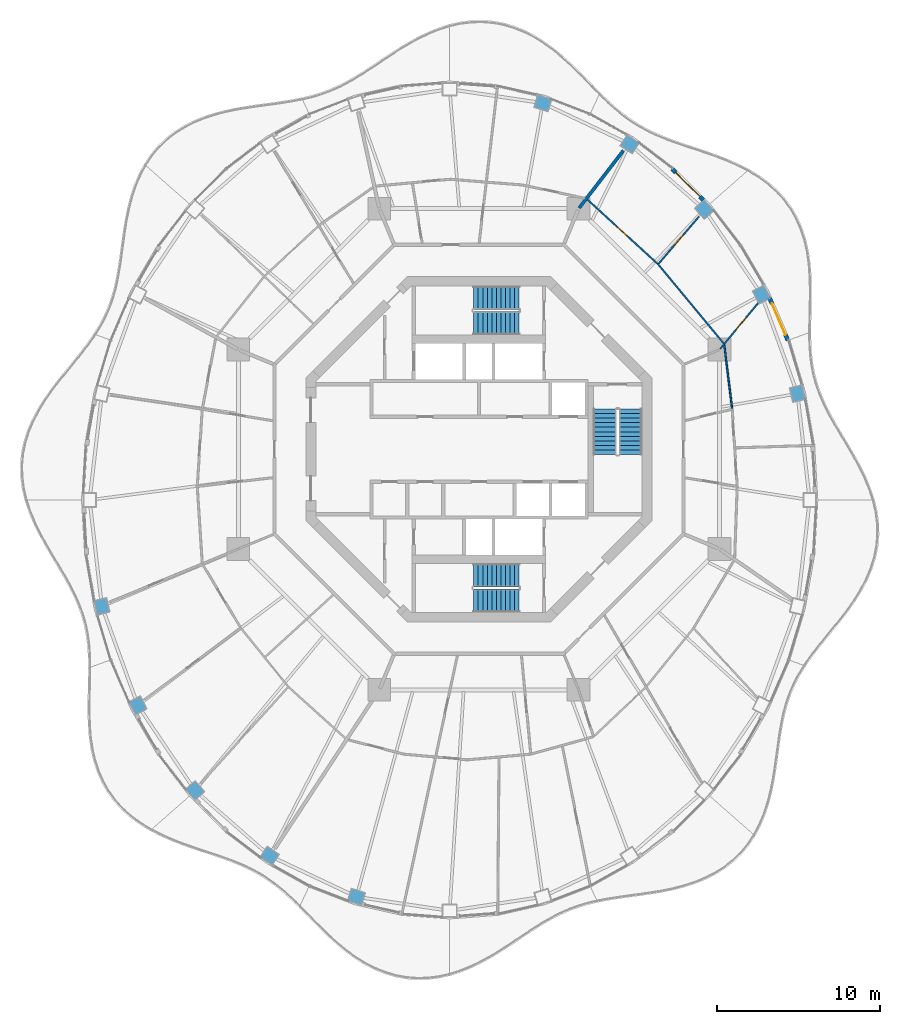
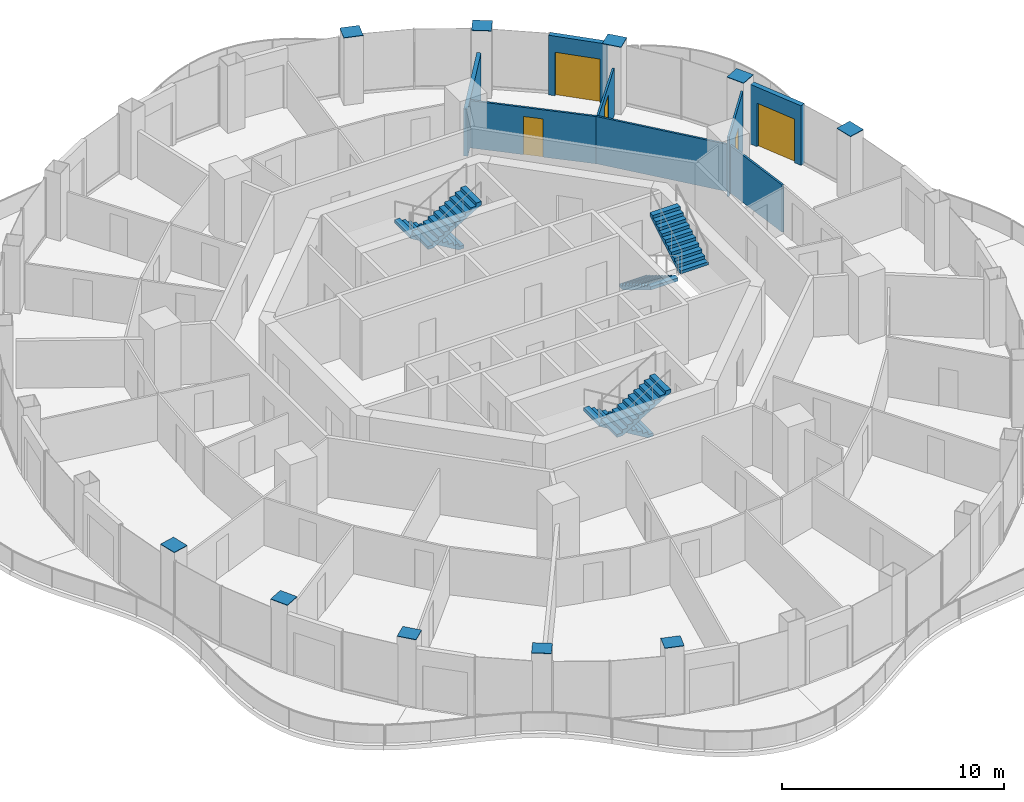
# One storey, part 14 of 17: 10 discrete accessories, 8 walls, 6 stair flights, 5 doors, 5 openings, 3 elements without a shape of their own.
"""IFC4 building model written with IfcOpenShell, lengths in metres."""

from ifc_helpers import new_model, si_unit, direction, frame, frame_2d, origin, origin_2d, place, context, subcontext, project, spatial, polyline, rectangle, outline, extrude, material, layer, layer_set, type_object, element, fill, aggregate, save


model = new_model("IFC4")

# Units and contexts
model_context = context("Model", 3, precision=1e-05, world=origin(), true_north=direction((0.0, 1.0)))
body_context = subcontext(model_context, "Body", "Model", "MODEL_VIEW")
ifc_project = project(units=[si_unit("LENGTHUNIT", "METRE"), si_unit("AREAUNIT", "SQUARE_METRE"), si_unit("VOLUMEUNIT", "CUBIC_METRE"), si_unit("PLANEANGLEUNIT", "RADIAN"), si_unit("MASSUNIT", "GRAM", prefix="KILO")], contexts=[model_context])

# Site, building, storey
site_placement = place(None, origin())
site = spatial("IfcSite", under=ifc_project, at=site_placement, CompositionType="ELEMENT")
building_placement = place(site_placement, origin())
building = spatial("IfcBuilding", under=site, at=building_placement, Name="Nagisa Residences", CompositionType="ELEMENT")
storey_placement = place(building_placement, frame((0.0, 0.0, 295.5)))
storey = spatial("IfcBuildingStorey", under=building, at=storey_placement, Name="L75", CompositionType="ELEMENT", Elevation=295.5)

# Walls
ifc_material_1 = material(Name="Gypsum board on steel studs", Category="steel")
ifc_layer_1 = layer(ifc_material_1, 0.199951171875)
ifc_layer_set_1 = layer_set([ifc_layer_1], Name="Apartment compartment wall EI60 200")
wall_type_1 = type_object("IfcWallType", Name="Apartment compartment wall EI60 200", PredefinedType="PARTITIONING", material=ifc_layer_set_1)
wall_1_placement = place(storey_placement, frame((6.153564453125, 14.821533203125, 0.0), z_axis=(0.0, 0.0, 1.0), x_axis=(0.610687612043, 0.791871606068, 0.0)))
element("IfcWall", 1, at=wall_1_placement, inside=storey, type_object=wall_type_1, Name="wall:L75:u01", PredefinedType="PARTITIONING", context=body_context, shape_type="SweptSolid", body=[
    extrude(rectangle(XDim=4.454833984375, YDim=0.199951171875, at=frame_2d((2.2275390625, 0.0))), origin(), (0.0, 0.0, 1.0), 2.60205078125),
])
ifc_material_2 = material(Name="Gypsum board on steel studs", Category="steel")
ifc_layer_2 = layer(ifc_material_2, 0.10009765625)
ifc_layer_set_2 = layer_set([ifc_layer_2], Name="Apartment partition 100")
wall_type_2 = type_object("IfcWallType", Name="Apartment partition 100", PredefinedType="PARTITIONING", material=ifc_layer_set_2)
wall_2_placement = place(storey_placement, frame((15.552490234375, 2.50830078125, 0.0), z_axis=(0.0, 0.0, 1.0), x_axis=(-0.12196631785, 0.992534239868, 0.0)))
element("IfcWall", 2, at=wall_2_placement, inside=storey, type_object=wall_type_2, Name="wall:L75:u23", PredefinedType="PARTITIONING", context=body_context, shape_type="SweptSolid", body=[
    extrude(rectangle(XDim=3.937255859375, YDim=0.10009765625, at=frame_2d((1.96875, 0.0))), origin(), (0.0, 0.0, 1.0), 2.60205078125),
])

# Wall, opening, door
wall_3_placement = place(storey_placement, frame((14.81396484375, 6.161376953125, 0.0), z_axis=(0.0, 0.0, 1.0), x_axis=(0.638050520313, 0.769994502272, 0.0)))
wall_3 = element("IfcWall", 3, at=wall_3_placement, inside=storey, type_object=wall_type_2, Name="wall:L75:u25", PredefinedType="PARTITIONING", context=body_context, shape_type="SweptSolid", body=[
    extrude(rectangle(XDim=3.6728515625, YDim=0.10009765625, at=frame_2d((1.83642578125, 0.0))), origin(), (0.0, 0.0, 1.0), 3.280029296875),
])
opening_1_placement = place(wall_3_placement, frame((1.584228515625, 0.0, 0.0)))
opening_1 = element("IfcOpeningElement", 4, at=opening_1_placement, cuts=wall_3, Name="Opening L75-U17", PredefinedType="OPENING", context=body_context, shape_type="SweptSolid", body=[
    extrude(rectangle(XDim=0.89990234375, YDim=2.10009765625, at=frame_2d((0.449951171875, 1.050048828125))), frame((0.0, 0.06005859375, 0.0), z_axis=(0.0, -1.0, 0.0), x_axis=(1.0, 0.0, 0.0)), (0.0, 0.0, 1.0), 0.1201171875),
])
ifc_material_3 = material(Name="Timber door set", Category="wood")
door_type_1 = type_object("IfcDoorType", Name="Apartment door 900x2100", OperationType="NOTDEFINED", PredefinedType="DOOR", material=ifc_material_3)
door_1_placement = place(opening_1_placement, origin())
door_1 = element("IfcDoor", 5, at=door_1_placement, inside=storey, type_object=door_type_1, Name="Door to study, Apartment 75B", OperationType="SINGLE_SWING_LEFT", OverallHeight=2.10009765625, OverallWidth=0.89990234375, PredefinedType="DOOR", context=body_context, shape_type="SweptSolid", body=[
    extrude(rectangle(XDim=0.89990234375, YDim=2.10009765625, at=frame_2d((0.449951171875, 1.050048828125))), frame((0.0, 0.02490234375, 0.0), z_axis=(0.0, -1.0, 0.0), x_axis=(1.0, 0.0, 0.0)), (0.0, 0.0, 1.0), 0.050048828125),
])
fill(opening_1, door_1)

# Wall
wall_4_placement = place(storey_placement, frame((15.034423828125, 6.50439453125, 0.0), z_axis=(0.0, 0.0, 1.0), x_axis=(-0.637935278767, 0.770089981823, 0.0)))
element("IfcWall", 6, at=wall_4_placement, inside=storey, type_object=wall_type_2, Name="wall:L75:u26", PredefinedType="PARTITIONING", context=body_context, shape_type="SweptSolid", body=[
    extrude(rectangle(XDim=6.360595703125, YDim=0.10009765625, at=frame_2d((3.18017578125, 0.0))), origin(), (0.0, 0.0, 1.0), 2.60205078125),
])

# Wall, opening, door
wall_5_placement = place(storey_placement, frame((11.041259765625, 11.402099609375, 0.0), z_axis=(0.0, 0.0, 1.0), x_axis=(0.650558544325, 0.759456108282, 0.0)))
wall_5 = element("IfcWall", 7, at=wall_5_placement, inside=storey, type_object=wall_type_2, Name="wall:L75:u27", PredefinedType="PARTITIONING", context=body_context, shape_type="SweptSolid", body=[
    extrude(rectangle(XDim=3.800048828125, YDim=0.10009765625, at=frame_2d((1.89990234375, 0.0))), origin(), (0.0, 0.0, 1.0), 2.60205078125),
])
opening_2_placement = place(wall_5_placement, frame((1.4501953125, 0.0, 0.0)))
opening_2 = element("IfcOpeningElement", 8, at=opening_2_placement, cuts=wall_5, Name="Opening L75-U18", PredefinedType="OPENING", context=body_context, shape_type="SweptSolid", body=[
    extrude(rectangle(XDim=0.89990234375, YDim=2.10009765625, at=frame_2d((0.449951171875, 1.050048828125))), frame((0.0, 0.06005859375, 0.0), z_axis=(0.0, -1.0, 0.0), x_axis=(1.0, 0.0, 0.0)), (0.0, 0.0, 1.0), 0.1201171875),
])
door_2_placement = place(opening_2_placement, origin())
door_2 = element("IfcDoor", 9, at=door_2_placement, inside=storey, type_object=door_type_1, Name="Door to kitchen, Apartment 75B", OperationType="SINGLE_SWING_RIGHT", OverallHeight=2.10009765625, OverallWidth=0.89990234375, PredefinedType="DOOR", context=body_context, shape_type="SweptSolid", body=[
    extrude(rectangle(XDim=0.89990234375, YDim=2.10009765625, at=frame_2d((0.449951171875, 1.050048828125))), frame((0.0, 0.02490234375, 0.0), z_axis=(0.0, -1.0, 0.0), x_axis=(1.0, 0.0, 0.0)), (0.0, 0.0, 1.0), 0.050048828125),
])
fill(opening_2, door_2)

wall_6_placement = place(storey_placement, frame((10.9716796875, 11.397705078125, 0.0), z_axis=(0.0, 0.0, 1.0), x_axis=(-0.737830272434, 0.674986288069, 0.0)))
wall_6 = element("IfcWall", 10, at=wall_6_placement, inside=storey, type_object=wall_type_2, Name="wall:L75:u28", PredefinedType="PARTITIONING", context=body_context, shape_type="SweptSolid", body=[
    extrude(rectangle(XDim=5.827392578125, YDim=0.10009765625, at=frame_2d((2.91357421875, 0.0))), origin(), (0.0, 0.0, 1.0), 2.60205078125),
])
opening_3_placement = place(wall_6_placement, frame((2.463623046875, 0.0, 0.0)))
opening_3 = element("IfcOpeningElement", 11, at=opening_3_placement, cuts=wall_6, Name="Opening L75-U19", PredefinedType="OPENING", context=body_context, shape_type="SweptSolid", body=[
    extrude(rectangle(XDim=0.89990234375, YDim=2.10009765625, at=frame_2d((0.449951171875, 1.050048828125))), frame((0.0, 0.06005859375, 0.0), z_axis=(0.0, -1.0, 0.0), x_axis=(1.0, 0.0, 0.0)), (0.0, 0.0, 1.0), 0.1201171875),
])
door_3_placement = place(opening_3_placement, origin())
door_3 = element("IfcDoor", 12, at=door_3_placement, inside=storey, type_object=door_type_1, Name="Door to store, Apartment 75B", OperationType="SINGLE_SWING_LEFT", OverallHeight=2.10009765625, OverallWidth=0.89990234375, PredefinedType="DOOR", context=body_context, shape_type="SweptSolid", body=[
    extrude(rectangle(XDim=0.89990234375, YDim=2.10009765625, at=frame_2d((0.449951171875, 1.050048828125))), frame((0.0, 0.02490234375, 0.0), z_axis=(0.0, -1.0, 0.0), x_axis=(1.0, 0.0, 0.0)), (0.0, 0.0, 1.0), 0.050048828125),
])
fill(opening_3, door_3)

ifc_material_4 = material(Name="Precast concrete C40/50", Category="concrete")
ifc_layer_3 = layer(ifc_material_4, 0.25)
ifc_layer_set_3 = layer_set([ifc_layer_3], Name="BALCONY DOOR WALL 250")
wall_type_3 = type_object("IfcWallType", Name="BALCONY DOOR WALL 250", PredefinedType="SOLIDWALL", material=ifc_layer_set_3)
wall_7_placement = place(storey_placement, frame((17.853759765625, 9.289794921875, 0.0), z_axis=(0.0, 0.0, 1.0), x_axis=(0.397597791596, -0.9175598052, 0.0)))
wall_7 = element("IfcWall", 13, at=wall_7_placement, inside=storey, type_object=wall_type_3, Name="wall:L75:bay03", PredefinedType="SOLIDWALL", context=body_context, shape_type="SweptSolid", body=[
    extrude(rectangle(XDim=2.841064453125, YDim=0.25, at=frame_2d((1.42041015625, 0.0))), origin(), (0.0, 0.0, 1.0), 3.280029296875),
])
opening_4_placement = place(wall_7_placement, frame((0.37060546875, 0.0, 0.0)))
opening_4 = element("IfcOpeningElement", 14, at=opening_4_placement, cuts=wall_7, Name="Opening BD-L75-02", PredefinedType="OPENING", context=body_context, shape_type="SweptSolid", body=[
    extrude(rectangle(XDim=2.10009765625, YDim=2.39990234375, at=frame_2d((1.050048828125, 1.199951171875))), frame((0.0, 0.135009765625, 0.0), z_axis=(0.0, -1.0, 0.0), x_axis=(1.0, 0.0, 0.0)), (0.0, 0.0, 1.0), 0.27001953125),
])
ifc_material_5 = material(Name="Aluminium and clear glass", Category="aluminium")
door_type_2 = type_object("IfcDoorType", Name="BALCONY SLIDING DOOR 2100x2400", OperationType="SLIDING_TO_LEFT", PredefinedType="DOOR", material=ifc_material_5)
door_4_placement = place(opening_4_placement, origin())
door_4 = element("IfcDoor", 15, at=door_4_placement, inside=storey, type_object=door_type_2, Name="door:L75:bay03", OperationType="SLIDING_TO_LEFT", OverallHeight=2.39990234375, OverallWidth=2.10009765625, PredefinedType="DOOR", context=body_context, shape_type="SweptSolid", body=[
    extrude(rectangle(XDim=2.10009765625, YDim=2.39990234375, at=frame_2d((1.050048828125, 1.199951171875))), frame((0.0, 0.02490234375, 0.0), z_axis=(0.0, -1.0, 0.0), x_axis=(1.0, 0.0, 0.0)), (0.0, 0.0, 1.0), 0.050048828125),
])
fill(opening_4, door_4)

wall_8_placement = place(storey_placement, frame((11.8818359375, 17.21484375, 0.0), z_axis=(0.0, 0.0, 1.0), x_axis=(0.707831739508, -0.706381078841, 0.0)))
wall_8 = element("IfcWall", 16, at=wall_8_placement, inside=storey, type_object=wall_type_3, Name="wall:L75:bay06", PredefinedType="SOLIDWALL", context=body_context, shape_type="SweptSolid", body=[
    extrude(rectangle(XDim=2.692626953125, YDim=0.25, at=frame_2d((1.34619140625, 0.0))), origin(), (0.0, 0.0, 1.0), 3.280029296875),
])
opening_5_placement = place(wall_8_placement, frame((0.29638671875, 0.0, 0.0)))
opening_5 = element("IfcOpeningElement", 17, at=opening_5_placement, cuts=wall_8, Name="Opening BD-L75-03", PredefinedType="OPENING", context=body_context, shape_type="SweptSolid", body=[
    extrude(rectangle(XDim=2.10009765625, YDim=2.39990234375, at=frame_2d((1.050048828125, 1.199951171875))), frame((0.0, 0.135009765625, 0.0), z_axis=(0.0, -1.0, 0.0), x_axis=(1.0, 0.0, 0.0)), (0.0, 0.0, 1.0), 0.27001953125),
])
door_5_placement = place(opening_5_placement, origin())
door_5 = element("IfcDoor", 18, at=door_5_placement, inside=storey, type_object=door_type_2, Name="door:L75:bay06", OperationType="SLIDING_TO_LEFT", OverallHeight=2.39990234375, OverallWidth=2.10009765625, PredefinedType="DOOR", context=body_context, shape_type="SweptSolid", body=[
    extrude(rectangle(XDim=2.10009765625, YDim=2.39990234375, at=frame_2d((1.050048828125, 1.199951171875))), frame((0.0, 0.02490234375, 0.0), z_axis=(0.0, -1.0, 0.0), x_axis=(1.0, 0.0, 0.0)), (0.0, 0.0, 1.0), 0.050048828125),
])
fill(opening_5, door_5)

# Stair, stair flights
ifc_material_6 = material(Name="Concrete C60", Category="concrete")
stair_type = type_object("IfcStairType", Name="Exit stair", PredefinedType="HALF_TURN_STAIR", material=ifc_material_6)
stair_1_placement = place(storey_placement, origin())
stair_1 = element("IfcStair", 19, at=stair_1_placement, inside=storey, type_object=stair_type, Name="L75 Exit stair E", PredefinedType="HALF_TURN_STAIR")
ifc_material_7 = material(Name="Concrete C60", Category="concrete")
stair_flight_type = type_object("IfcStairFlightType", Name="Exit stair flight", PredefinedType="STRAIGHT", material=ifc_material_7)
stair_flight_1_placement = place(storey_placement, frame((7.737060546875, 2.47509765625, 0.0), z_axis=(0.0, 0.0, 1.0), x_axis=(0.0, -1.0, 0.0)))
stair_flight_1 = element("IfcStairFlight", 20, at=stair_flight_1_placement, type_object=stair_flight_type, Name="ST-E flight 1", NumberOfRisers=11, NumberOfTreads=10, PredefinedType="STRAIGHT", RiserHeight=0.168181818, TreadLength=0.28, context=body_context, shape_type="SweptSolid", body=[
    extrude(outline(polyline([(0.0, 0.0), (0.0, 0.168212890625), (0.280029296875, 0.168212890625), (0.280029296875, 0.33642578125), (0.56005859375, 0.33642578125), (0.56005859375, 0.504638671875), (0.840087890625, 0.504638671875), (0.840087890625, 0.672607421875), (1.1201171875, 0.672607421875), (1.1201171875, 0.8408203125), (1.39990234375, 0.8408203125), (1.39990234375, 1.009033203125), (1.679931640625, 1.009033203125), (1.679931640625, 1.17724609375), (1.9599609375, 1.17724609375), (1.9599609375, 1.345458984375), (2.239990234375, 1.345458984375), (2.239990234375, 1.513671875), (2.52001953125, 1.513671875), (2.52001953125, 1.681884765625), (2.800048828125, 1.681884765625), (2.800048828125, 1.85009765625), (2.800048828125, 1.5068359375), (0.291015625, 0.0), (0.0, 0.0)])), frame((0.0, 0.71240234375, 0.0), z_axis=(0.0, -1.0, 0.0), x_axis=(1.0, 0.0, 0.0)), (0.0, 0.0, 1.0), 1.425048828125),
])
stair_flight_2_placement = place(storey_placement, frame((9.31201171875, -0.324951171875, 1.85009765625), z_axis=(0.0, 0.0, 1.0), x_axis=(0.0, 1.0, 0.0)))
stair_flight_2 = element("IfcStairFlight", 21, at=stair_flight_2_placement, type_object=stair_flight_type, Name="ST-E flight 2", NumberOfRisers=11, NumberOfTreads=10, PredefinedType="STRAIGHT", RiserHeight=0.168181818, TreadLength=0.28, context=body_context, shape_type="SweptSolid", body=[
    extrude(outline(polyline([(0.0, 0.0), (0.0, 0.168212890625), (0.280029296875, 0.168212890625), (0.280029296875, 0.33642578125), (0.56005859375, 0.33642578125), (0.56005859375, 0.504638671875), (0.840087890625, 0.504638671875), (0.840087890625, 0.672607421875), (1.1201171875, 0.672607421875), (1.1201171875, 0.8408203125), (1.39990234375, 0.8408203125), (1.39990234375, 1.009033203125), (1.679931640625, 1.009033203125), (1.679931640625, 1.17724609375), (1.9599609375, 1.17724609375), (1.9599609375, 1.345458984375), (2.239990234375, 1.345458984375), (2.239990234375, 1.513671875), (2.52001953125, 1.513671875), (2.52001953125, 1.681884765625), (2.800048828125, 1.681884765625), (2.800048828125, 1.85009765625), (2.800048828125, 1.5068359375), (0.291015625, 0.0), (0.0, 0.0)])), frame((0.0, 0.71240234375, 0.0), z_axis=(0.0, -1.0, 0.0), x_axis=(1.0, 0.0, 0.0)), (0.0, 0.0, 1.0), 1.425048828125),
])
aggregate(stair_1, [stair_flight_1, stair_flight_2])

stair_2_placement = place(storey_placement, origin())
stair_2 = element("IfcStair", 22, at=stair_2_placement, inside=storey, type_object=stair_type, Name="L75 Exit stair N", PredefinedType="HALF_TURN_STAIR")
stair_flight_3_placement = place(storey_placement, frame((2.47509765625, 9.31201171875, 0.0), z_axis=(0.0, 0.0, 1.0), x_axis=(-1.0, 0.0, 0.0)))
stair_flight_3 = element("IfcStairFlight", 23, at=stair_flight_3_placement, type_object=stair_flight_type, Name="ST-N flight 1", NumberOfRisers=11, NumberOfTreads=10, PredefinedType="STRAIGHT", RiserHeight=0.168181818, TreadLength=0.28, context=body_context, shape_type="SweptSolid", body=[
    extrude(outline(polyline([(0.0, 0.0), (0.0, 0.168212890625), (0.280029296875, 0.168212890625), (0.280029296875, 0.33642578125), (0.56005859375, 0.33642578125), (0.56005859375, 0.504638671875), (0.840087890625, 0.504638671875), (0.840087890625, 0.672607421875), (1.1201171875, 0.672607421875), (1.1201171875, 0.8408203125), (1.39990234375, 0.8408203125), (1.39990234375, 1.009033203125), (1.679931640625, 1.009033203125), (1.679931640625, 1.17724609375), (1.9599609375, 1.17724609375), (1.9599609375, 1.345458984375), (2.239990234375, 1.345458984375), (2.239990234375, 1.513671875), (2.52001953125, 1.513671875), (2.52001953125, 1.681884765625), (2.800048828125, 1.681884765625), (2.800048828125, 1.85009765625), (2.800048828125, 1.5068359375), (0.291015625, 0.0), (0.0, 0.0)])), frame((0.0, 0.71240234375, 0.0), z_axis=(0.0, -1.0, 0.0), x_axis=(1.0, 0.0, 0.0)), (0.0, 0.0, 1.0), 1.425048828125),
])
stair_flight_4_placement = place(storey_placement, frame((-0.324951171875, 7.737060546875, 1.85009765625), z_axis=(0.0, 0.0, 1.0), x_axis=(1.0, 0.0, 0.0)))
stair_flight_4 = element("IfcStairFlight", 24, at=stair_flight_4_placement, type_object=stair_flight_type, Name="ST-N flight 2", NumberOfRisers=11, NumberOfTreads=10, PredefinedType="STRAIGHT", RiserHeight=0.168181818, TreadLength=0.28, context=body_context, shape_type="SweptSolid", body=[
    extrude(outline(polyline([(0.0, 0.0), (0.0, 0.168212890625), (0.280029296875, 0.168212890625), (0.280029296875, 0.33642578125), (0.56005859375, 0.33642578125), (0.56005859375, 0.504638671875), (0.840087890625, 0.504638671875), (0.840087890625, 0.672607421875), (1.1201171875, 0.672607421875), (1.1201171875, 0.8408203125), (1.39990234375, 0.8408203125), (1.39990234375, 1.009033203125), (1.679931640625, 1.009033203125), (1.679931640625, 1.17724609375), (1.9599609375, 1.17724609375), (1.9599609375, 1.345458984375), (2.239990234375, 1.345458984375), (2.239990234375, 1.513671875), (2.52001953125, 1.513671875), (2.52001953125, 1.681884765625), (2.800048828125, 1.681884765625), (2.800048828125, 1.85009765625), (2.800048828125, 1.5068359375), (0.291015625, 0.0), (0.0, 0.0)])), frame((0.0, 0.71240234375, 0.0), z_axis=(0.0, -1.0, 0.0), x_axis=(1.0, 0.0, 0.0)), (0.0, 0.0, 1.0), 1.425048828125),
])
aggregate(stair_2, [stair_flight_3, stair_flight_4])

stair_3_placement = place(storey_placement, origin())
stair_3 = element("IfcStair", 25, at=stair_3_placement, inside=storey, type_object=stair_type, Name="L75 Exit stair S", PredefinedType="HALF_TURN_STAIR")
stair_flight_5_placement = place(storey_placement, frame((2.47509765625, -7.737060546875, 0.0), z_axis=(0.0, 0.0, 1.0), x_axis=(-1.0, 0.0, 0.0)))
stair_flight_5 = element("IfcStairFlight", 26, at=stair_flight_5_placement, type_object=stair_flight_type, Name="ST-S flight 1", NumberOfRisers=11, NumberOfTreads=10, PredefinedType="STRAIGHT", RiserHeight=0.168181818, TreadLength=0.28, context=body_context, shape_type="SweptSolid", body=[
    extrude(outline(polyline([(0.0, 0.0), (0.0, 0.168212890625), (0.280029296875, 0.168212890625), (0.280029296875, 0.33642578125), (0.56005859375, 0.33642578125), (0.56005859375, 0.504638671875), (0.840087890625, 0.504638671875), (0.840087890625, 0.672607421875), (1.1201171875, 0.672607421875), (1.1201171875, 0.8408203125), (1.39990234375, 0.8408203125), (1.39990234375, 1.009033203125), (1.679931640625, 1.009033203125), (1.679931640625, 1.17724609375), (1.9599609375, 1.17724609375), (1.9599609375, 1.345458984375), (2.239990234375, 1.345458984375), (2.239990234375, 1.513671875), (2.52001953125, 1.513671875), (2.52001953125, 1.681884765625), (2.800048828125, 1.681884765625), (2.800048828125, 1.85009765625), (2.800048828125, 1.5068359375), (0.291015625, 0.0), (0.0, 0.0)])), frame((0.0, 0.71240234375, 0.0), z_axis=(0.0, -1.0, 0.0), x_axis=(1.0, 0.0, 0.0)), (0.0, 0.0, 1.0), 1.425048828125),
])
stair_flight_6_placement = place(storey_placement, frame((-0.324951171875, -9.31201171875, 1.85009765625), z_axis=(0.0, 0.0, 1.0), x_axis=(1.0, 0.0, 0.0)))
stair_flight_6 = element("IfcStairFlight", 27, at=stair_flight_6_placement, type_object=stair_flight_type, Name="ST-S flight 2", NumberOfRisers=11, NumberOfTreads=10, PredefinedType="STRAIGHT", RiserHeight=0.168181818, TreadLength=0.28, context=body_context, shape_type="SweptSolid", body=[
    extrude(outline(polyline([(0.0, 0.0), (0.0, 0.168212890625), (0.280029296875, 0.168212890625), (0.280029296875, 0.33642578125), (0.56005859375, 0.33642578125), (0.56005859375, 0.504638671875), (0.840087890625, 0.504638671875), (0.840087890625, 0.672607421875), (1.1201171875, 0.672607421875), (1.1201171875, 0.8408203125), (1.39990234375, 0.8408203125), (1.39990234375, 1.009033203125), (1.679931640625, 1.009033203125), (1.679931640625, 1.17724609375), (1.9599609375, 1.17724609375), (1.9599609375, 1.345458984375), (2.239990234375, 1.345458984375), (2.239990234375, 1.513671875), (2.52001953125, 1.513671875), (2.52001953125, 1.681884765625), (2.800048828125, 1.681884765625), (2.800048828125, 1.85009765625), (2.800048828125, 1.5068359375), (0.291015625, 0.0), (0.0, 0.0)])), frame((0.0, 0.71240234375, 0.0), z_axis=(0.0, -1.0, 0.0), x_axis=(1.0, 0.0, 0.0)), (0.0, 0.0, 1.0), 1.425048828125),
])
aggregate(stair_3, [stair_flight_5, stair_flight_6])

# Discrete accessories
ifc_material_8 = material(Name="Steel ASTM A572 Gr 50", Category="steel")
ifc_layer_4 = layer(ifc_material_8, 0.030029296875)
ifc_layer_set_4 = layer_set([ifc_layer_4], Name="End plate")
discrete_accessory_type = type_object("IfcDiscreteAccessoryType", Name="End plate", PredefinedType="ANCHORPLATE", material=ifc_layer_set_4)
for number, where, z_axis, x_axis, name in (
    (28, (19.566162109375, 3.414794921875, 3.699951171875), (0.0, 0.0, 1.0), (-0.229202013103, 0.973378876486, 0.0), "End plate PC02"),
    (29, (17.3564453125, 9.502197265625, 3.699951171875), (0.0, 0.0, 1.0), (-0.452462697578, 0.891783329795, 0.0), "End plate PC03"),
    (30, (13.84130859375, 14.729736328125, 3.699951171875), (0.0, 0.0, 1.0), (-0.660114607735, 0.751164898445, 0.0), "End plate PC04"),
    (31, (9.260009765625, 18.74072265625, 3.699951171875), (0.0, 0.0, 1.0), (-0.835766105673, 0.54908561865, 0.0), "End plate PC05"),
    (32, (3.925048828125, 21.26220703125, 3.699951171875), (0.0, 0.0, 1.0), (-0.956524583408, 0.291651712384, 0.0), "End plate PC06"),
    (33, (-23.166259765625, -9.650390625, 3.699951171875), (0.0, 0.0, 1.0), (0.229202013103, -0.973378876486, 0.0), "End plate PC14"),
    (34, (-20.95654296875, -15.73779296875, 3.699951171875), (0.0, 0.0, 1.0), (0.452462697578, -0.891783329795, 0.0), "End plate PC15"),
    (35, (-17.441162109375, -20.965087890625, 3.699951171875), (0.0, 0.0, 1.0), (0.660114607735, -0.751164898445, 0.0), "End plate PC16"),
    (36, (-12.860107421875, -24.97607421875, 3.699951171875), (0.0, 0.0, 1.0), (0.835766105673, -0.54908561865, 0.0), "End plate PC17"),
    (37, (-7.525146484375, -27.49755859375, 3.699951171875), (0.0, 0.0, 1.0), (0.956524583408, -0.291651712384, 0.0), "End plate PC18"),
):
    element("IfcDiscreteAccessory", number, at=place(storey_placement, frame(where, z_axis=z_axis, x_axis=x_axis)), inside=storey, type_object=discrete_accessory_type, Name=name, PredefinedType="ANCHORPLATE", context=body_context, shape_type="SweptSolid", body=[
        extrude(rectangle(XDim=0.89990234375, YDim=0.800048828125, at=origin_2d()), origin(), (0.0, 0.0, 1.0), 0.030029296875),
    ])

save(model, "model.ifc")
